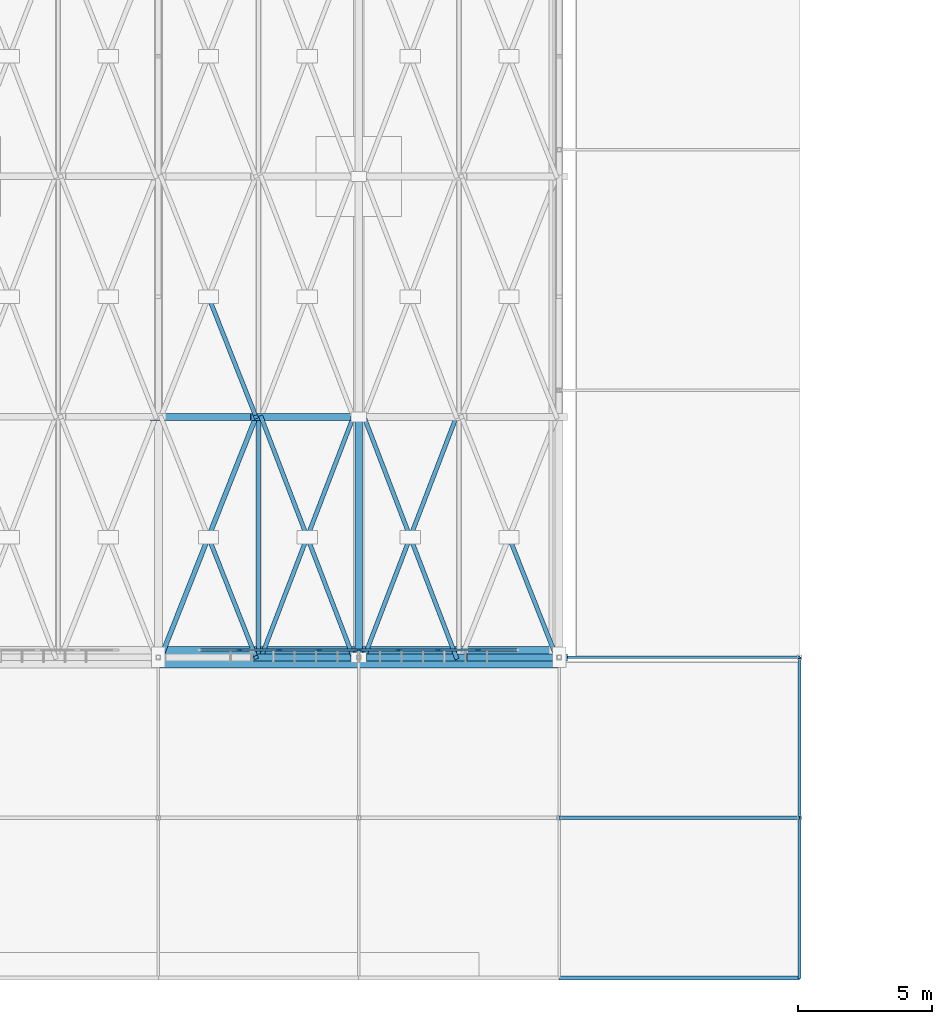
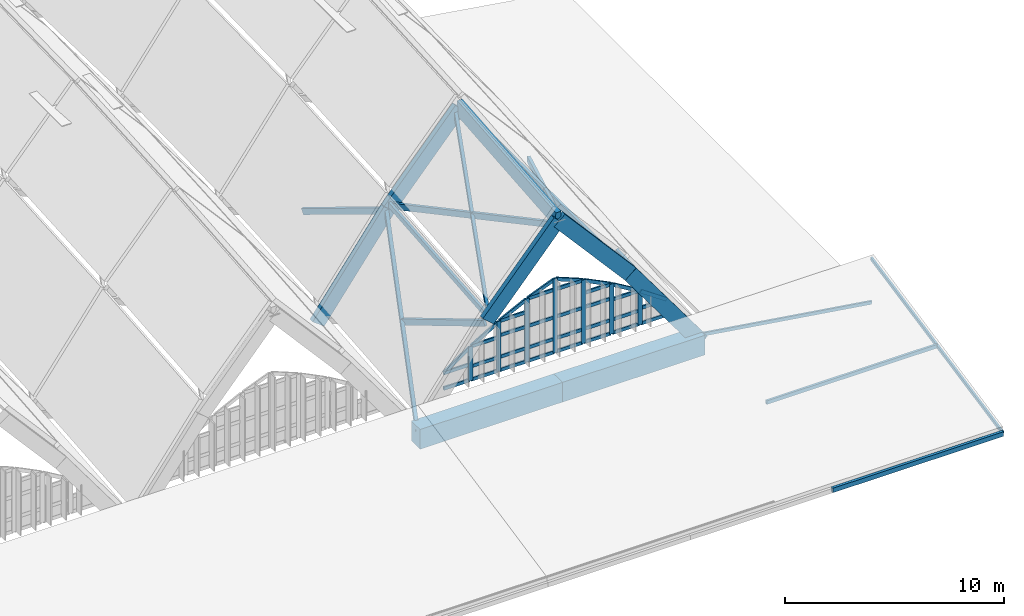
# One storey, part 50 of 93: 56 members, 8 beams, 1 element without a shape of its own.
"""IFC4 building model written with IfcOpenShell, lengths in metres."""

from ifc_helpers import new_model, si_unit, direction, frame, origin, origin_2d, place, context, subcontext, project, spatial, rectangle, hollow_rectangle, extrude, material, material_profile, profile_set, type_object, element, aggregate, save


model = new_model("IFC4")

# Units and contexts
model_context = context("Model", 3, precision=1e-05, world=origin(), true_north=direction((0.0, 1.0)))
body_context = subcontext(model_context, "Body", "Model", "MODEL_VIEW")
ifc_project = project(units=[si_unit("LENGTHUNIT", "METRE"), si_unit("AREAUNIT", "SQUARE_METRE"), si_unit("VOLUMEUNIT", "CUBIC_METRE"), si_unit("PLANEANGLEUNIT", "RADIAN"), si_unit("MASSUNIT", "GRAM", prefix="KILO")], contexts=[model_context])

# Site, building, storey
site_placement = place(None, origin())
site = spatial("IfcSite", under=ifc_project, at=site_placement, CompositionType="ELEMENT")
building_placement = place(site_placement, origin())
building = spatial("IfcBuilding", under=site, at=building_placement, Name="Vourika Railside Aquatics Centre", CompositionType="ELEMENT")
storey_placement = place(building_placement, frame((0.0, 0.0, 21.89990234375)))
storey = spatial("IfcBuildingStorey", under=building, at=storey_placement, Name="Roof", CompositionType="ELEMENT", Elevation=21.89990234375)

# Beams
ifc_material_1 = material(Name="Glulam GL32h", Category="wood")
ifc_material_profile_1 = material_profile(ifc_material_1, rectangle(XDim=0.260009765625, YDim=0.760009765625, at=origin_2d()), Name="GL32h 260x760")
ifc_profile_set_1 = profile_set([ifc_material_profile_1], Name="Glulam GL32h")
beam_type_1 = type_object("IfcBeamType", Name="BM-GL-ARCH-260x760", PredefinedType="BEAM", material=ifc_profile_set_1)
for number, where, z_axis, x_axis, name in (
    (1, (129.75, 12.0, -6.599853515625), (0.657258623263, 0.0, 0.75366511273), (0.0, 1.0, 0.0), "Pointed Glulam Vault Arch Rib GAR-0206"),
    (2, (133.5, 12.0, -2.2998046875), (0.657258623263, 0.0, -0.75366511273), (0.0, 1.0, 0.0), "Pointed Glulam Vault Arch Rib GAR-0207"),
):
    element("IfcBeam", number, at=place(storey_placement, frame(where, z_axis=z_axis, x_axis=x_axis)), inside=storey, type_object=beam_type_1, Name=name, PredefinedType="BEAM", context=body_context, shape_type="SweptSolid", body=[
        extrude(rectangle(XDim=0.260009765625, YDim=0.760009765625, at=origin_2d()), origin(), (0.0, 0.0, 1.0), 5.70556640625),
    ])
for number, where, z_axis, x_axis, name in (
    (3, (137.25, 12.0, -6.599853515625), (0.592383087934, 0.0, -0.805656426233), (0.0, 1.0, 0.0), "Pointed Glulam Vault Arch Rib GAR-0208"),
    (4, (126.0, 21.0, -10.89990234375), (0.592383087934, 0.0, 0.805656426233), (0.0, 1.0, 0.0), "Pointed Glulam Vault Arch Rib GAR-0209"),
):
    element("IfcBeam", number, at=place(storey_placement, frame(where, z_axis=z_axis, x_axis=x_axis)), inside=storey, type_object=beam_type_1, Name=name, PredefinedType="BEAM", context=body_context, shape_type="SweptSolid", body=[
        extrude(rectangle(XDim=0.260009765625, YDim=0.760009765625, at=origin_2d()), origin(), (0.0, 0.0, 1.0), 6.330322265625),
    ])
beam_1_placement = place(storey_placement, frame((129.75, 21.0, -5.7998046875), z_axis=(0.657279819973, 0.0, 0.753646626912), x_axis=(0.0, 1.0, 0.0)))
element("IfcBeam", 5, at=beam_1_placement, inside=storey, type_object=beam_type_1, Name="Pointed Glulam Vault Arch Rib GAR-0210", PredefinedType="BEAM", context=body_context, shape_type="SweptSolid", body=[
    extrude(rectangle(XDim=0.260009765625, YDim=0.760009765625, at=origin_2d()), origin(), (0.0, 0.0, 1.0), 5.705322265625),
])
ifc_material_profile_2 = material_profile(ifc_material_1, rectangle(XDim=0.280029296875, YDim=0.840087890625, at=origin_2d()), Name="GL32h 280x840")
ifc_profile_set_2 = profile_set([ifc_material_profile_2], Name="Glulam GL32h")
beam_type_2 = type_object("IfcBeamType", Name="BM-GL-RIDGE-280x840", PredefinedType="BEAM", material=ifc_profile_set_2)
beam_2_placement = place(storey_placement, frame((133.5, 12.0, -2.2998046875), z_axis=(0.0, 0.996074546839, 0.088518343518), x_axis=(-1.0, 0.0, 0.0)))
element("IfcBeam", 6, at=beam_2_placement, inside=storey, type_object=beam_type_2, Name="Vault Pointed Ridge Beam GRB-0233", PredefinedType="BEAM", context=body_context, shape_type="SweptSolid", body=[
    extrude(rectangle(XDim=0.280029296875, YDim=0.840087890625, at=origin_2d()), origin(), (0.0, 0.0, 1.0), 9.035400390625),
])
ifc_material_2 = material(Name="Concrete C40/50", Category="concrete")
ifc_material_profile_3 = material_profile(ifc_material_2, rectangle(XDim=0.800048828125, YDim=1.10009765625, at=origin_2d()), Name="RC 800x1100")
ifc_profile_set_3 = profile_set([ifc_material_profile_3], Name="Concrete C40/50")
beam_type_3 = type_object("IfcBeamType", Name="BM-RING-800x1100", PredefinedType="BEAM", material=ifc_profile_set_3)
for number, where, z_axis, x_axis, name in (
    (7, (126.0, 12.0, -11.699951171875), (1.0, 0.0, 0.0), (0.0, 1.0, 0.0), "Vault Springing Ring Beam S (126.0-133.5)"),
    (8, (133.5, 12.0, -11.699951171875), (1.0, 0.0, 0.0), (0.0, 1.0, 0.0), "Vault Springing Ring Beam S (133.5-141.0)"),
):
    element("IfcBeam", number, at=place(storey_placement, frame(where, z_axis=z_axis, x_axis=x_axis)), inside=storey, type_object=beam_type_3, Name=name, PredefinedType="BEAM", context=body_context, shape_type="SweptSolid", body=[
        extrude(rectangle(XDim=0.800048828125, YDim=1.10009765625, at=origin_2d()), origin(), (0.0, 0.0, 1.0), 7.5),
    ])

# Curtain wall, members
ifc_material_3 = material(Name="Anodized thermally broken aluminium", Category="aluminium")
curtain_wall_type = type_object("IfcCurtainWallType", Name="CW-VLTS1", PredefinedType="NOTDEFINED", material=ifc_material_3)
curtain_wall_placement = place(storey_placement, origin())
curtain_wall = element("IfcCurtainWall", 9, at=curtain_wall_placement, inside=storey, type_object=curtain_wall_type, Name="South Boulevard Pointed-Arch Clerestory Curtain Wall Bay 7", PredefinedType="NOTDEFINED")
ifc_material_4 = material(Name="Anodized aluminium mullion", Category="aluminium")
ifc_material_profile_4 = material_profile(ifc_material_4, rectangle(XDim=0.08203125, YDim=0.235107421875, at=origin_2d()), Name="ALU-M 82x235")
ifc_profile_set_4 = profile_set([ifc_material_profile_4], Name="Anodized aluminium mullion")
member_type_1 = type_object("IfcMemberType", Name="CWM-VLTS1", PredefinedType="MULLION", material=ifc_profile_set_4)
member_1_placement = place(storey_placement, frame((129.03759765625, 12.280029296875, -9.8798828125), z_axis=(0.0, 0.0, 1.0), x_axis=(0.0, 1.0, 0.0)))
member_1 = element("IfcMember", 10, at=member_1_placement, type_object=member_type_1, Name="CW03 arch mullion 2", PredefinedType="MULLION", context=body_context, shape_type="SweptSolid", body=[
    extrude(rectangle(XDim=0.08203125, YDim=0.235107421875, at=origin_2d()), origin(), (0.0, 0.0, 1.0), 1.906005859375),
])
member_2_placement = place(storey_placement, frame((130.52490234375, 12.280029296875, -9.8798828125), z_axis=(0.0, 0.0, 1.0), x_axis=(0.0, 1.0, 0.0)))
member_2 = element("IfcMember", 11, at=member_2_placement, type_object=member_type_1, Name="CW03 arch mullion 3", PredefinedType="MULLION", context=body_context, shape_type="SweptSolid", body=[
    extrude(rectangle(XDim=0.08203125, YDim=0.235107421875, at=origin_2d()), origin(), (0.0, 0.0, 1.0), 2.7890625),
])
member_3_placement = place(storey_placement, frame((132.012451171875, 12.280029296875, -9.8798828125), z_axis=(0.0, 0.0, 1.0), x_axis=(0.0, 1.0, 0.0)))
member_3 = element("IfcMember", 12, at=member_3_placement, type_object=member_type_1, Name="CW03 arch mullion 4", PredefinedType="MULLION", context=body_context, shape_type="SweptSolid", body=[
    extrude(rectangle(XDim=0.08203125, YDim=0.235107421875, at=origin_2d()), origin(), (0.0, 0.0, 1.0), 3.531005859375),
])
member_4_placement = place(storey_placement, frame((133.5, 12.280029296875, -9.8798828125), z_axis=(0.0, 0.0, 1.0), x_axis=(0.0, 1.0, 0.0)))
member_4 = element("IfcMember", 13, at=member_4_placement, type_object=member_type_1, Name="CW03 arch mullion 5", PredefinedType="MULLION", context=body_context, shape_type="SweptSolid", body=[
    extrude(rectangle(XDim=0.08203125, YDim=0.235107421875, at=origin_2d()), origin(), (0.0, 0.0, 1.0), 4.1298828125),
])
member_5_placement = place(storey_placement, frame((134.987548828125, 12.280029296875, -9.8798828125), z_axis=(0.0, 0.0, 1.0), x_axis=(0.0, 1.0, 0.0)))
member_5 = element("IfcMember", 14, at=member_5_placement, type_object=member_type_1, Name="CW03 arch mullion 6", PredefinedType="MULLION", context=body_context, shape_type="SweptSolid", body=[
    extrude(rectangle(XDim=0.08203125, YDim=0.235107421875, at=origin_2d()), origin(), (0.0, 0.0, 1.0), 3.531005859375),
])
member_6_placement = place(storey_placement, frame((136.47509765625, 12.280029296875, -9.8798828125), z_axis=(0.0, 0.0, 1.0), x_axis=(0.0, 1.0, 0.0)))
member_6 = element("IfcMember", 15, at=member_6_placement, type_object=member_type_1, Name="CW03 arch mullion 7", PredefinedType="MULLION", context=body_context, shape_type="SweptSolid", body=[
    extrude(rectangle(XDim=0.08203125, YDim=0.235107421875, at=origin_2d()), origin(), (0.0, 0.0, 1.0), 2.7890625),
])
member_7_placement = place(storey_placement, frame((137.96240234375, 12.280029296875, -9.8798828125), z_axis=(0.0, 0.0, 1.0), x_axis=(0.0, 1.0, 0.0)))
member_7 = element("IfcMember", 16, at=member_7_placement, type_object=member_type_1, Name="CW03 arch mullion 8", PredefinedType="MULLION", context=body_context, shape_type="SweptSolid", body=[
    extrude(rectangle(XDim=0.08203125, YDim=0.235107421875, at=origin_2d()), origin(), (0.0, 0.0, 1.0), 1.906005859375),
])
ifc_material_5 = material(Name="Anodized aluminium transom", Category="aluminium")
ifc_material_profile_5 = material_profile(ifc_material_5, rectangle(XDim=0.08203125, YDim=0.18505859375, at=origin_2d()), Name="ALU-T 82x185")
ifc_profile_set_5 = profile_set([ifc_material_profile_5], Name="Anodized aluminium transom")
member_type_2 = type_object("IfcMemberType", Name="CWT-VLTS1", PredefinedType="USERDEFINED", material=ifc_profile_set_5)
member_8_placement = place(storey_placement, frame((127.632080078125, 12.280029296875, -9.8388671875), z_axis=(1.0, 0.0, 0.0), x_axis=(0.0, 1.0, 0.0)))
member_8 = element("IfcMember", 17, at=member_8_placement, type_object=member_type_2, Name="CW03 transom 1.1", ObjectType="TRANSOM", PredefinedType="USERDEFINED", context=body_context, shape_type="SweptSolid", body=[
    extrude(rectangle(XDim=0.08203125, YDim=0.18505859375, at=origin_2d()), origin(), (0.0, 0.0, 1.0), 1.364501953125),
])
member_9_placement = place(storey_placement, frame((127.632080078125, 12.280029296875, -8.98095703125), z_axis=(1.0, 0.0, 0.0), x_axis=(0.0, 1.0, 0.0)))
member_9 = element("IfcMember", 18, at=member_9_placement, type_object=member_type_2, Name="CW03 transom 1.2", ObjectType="TRANSOM", PredefinedType="USERDEFINED", context=body_context, shape_type="SweptSolid", body=[
    extrude(rectangle(XDim=0.08203125, YDim=0.18505859375, at=origin_2d()), origin(), (0.0, 0.0, 1.0), 1.364501953125),
])
member_10_placement = place(storey_placement, frame((127.632080078125, 12.280029296875, -8.98095703125), z_axis=(0.823796708212, 0.0, 0.566885335442), x_axis=(0.0, 1.0, 0.0)))
member_10 = element("IfcMember", 19, at=member_10_placement, type_object=member_type_2, Name="CW03 arch chord transom 1", ObjectType="TRANSOM", PredefinedType="USERDEFINED", context=body_context, shape_type="SweptSolid", body=[
    extrude(rectangle(XDim=0.08203125, YDim=0.18505859375, at=origin_2d()), origin(), (0.0, 0.0, 1.0), 1.65625),
])
member_11_placement = place(storey_placement, frame((129.07861328125, 12.280029296875, -9.8388671875), z_axis=(1.0, 0.0, 0.0), x_axis=(0.0, 1.0, 0.0)))
member_11 = element("IfcMember", 20, at=member_11_placement, type_object=member_type_2, Name="CW03 transom 2.1", ObjectType="TRANSOM", PredefinedType="USERDEFINED", context=body_context, shape_type="SweptSolid", body=[
    extrude(rectangle(XDim=0.08203125, YDim=0.18505859375, at=origin_2d()), origin(), (0.0, 0.0, 1.0), 1.4052734375),
])
member_12_placement = place(storey_placement, frame((129.07861328125, 12.280029296875, -9.099853515625), z_axis=(1.0, 0.0, 0.0), x_axis=(0.0, 1.0, 0.0)))
member_12 = element("IfcMember", 21, at=member_12_placement, type_object=member_type_2, Name="CW03 transom 2.2", ObjectType="TRANSOM", PredefinedType="USERDEFINED", context=body_context, shape_type="SweptSolid", body=[
    extrude(rectangle(XDim=0.08203125, YDim=0.18505859375, at=origin_2d()), origin(), (0.0, 0.0, 1.0), 1.4052734375),
])
member_13_placement = place(storey_placement, frame((129.07861328125, 12.280029296875, -7.989013671875), z_axis=(1.0, 0.0, 0.0), x_axis=(0.0, 1.0, 0.0)))
member_13 = element("IfcMember", 22, at=member_13_placement, type_object=member_type_2, Name="CW03 transom 2.3", ObjectType="TRANSOM", PredefinedType="USERDEFINED", context=body_context, shape_type="SweptSolid", body=[
    extrude(rectangle(XDim=0.08203125, YDim=0.18505859375, at=origin_2d()), origin(), (0.0, 0.0, 1.0), 1.4052734375),
])
member_14_placement = place(storey_placement, frame((129.07861328125, 12.280029296875, -7.989013671875), z_axis=(0.859633394337, 0.0, 0.510911369359), x_axis=(0.0, 1.0, 0.0)))
member_14 = element("IfcMember", 23, at=member_14_placement, type_object=member_type_2, Name="CW03 arch chord transom 2", ObjectType="TRANSOM", PredefinedType="USERDEFINED", context=body_context, shape_type="SweptSolid", body=[
    extrude(rectangle(XDim=0.08203125, YDim=0.18505859375, at=origin_2d()), origin(), (0.0, 0.0, 1.0), 1.634765625),
])
member_15_placement = place(storey_placement, frame((130.56591796875, 12.280029296875, -9.8388671875), z_axis=(1.0, 0.0, 0.0), x_axis=(0.0, 1.0, 0.0)))
member_15 = element("IfcMember", 24, at=member_15_placement, type_object=member_type_2, Name="CW03 transom 3.1", ObjectType="TRANSOM", PredefinedType="USERDEFINED", context=body_context, shape_type="SweptSolid", body=[
    extrude(rectangle(XDim=0.08203125, YDim=0.18505859375, at=origin_2d()), origin(), (0.0, 0.0, 1.0), 1.405517578125),
])
member_16_placement = place(storey_placement, frame((130.56591796875, 12.280029296875, -9.099853515625), z_axis=(1.0, 0.0, 0.0), x_axis=(0.0, 1.0, 0.0)))
member_16 = element("IfcMember", 25, at=member_16_placement, type_object=member_type_2, Name="CW03 transom 3.2", ObjectType="TRANSOM", PredefinedType="USERDEFINED", context=body_context, shape_type="SweptSolid", body=[
    extrude(rectangle(XDim=0.08203125, YDim=0.18505859375, at=origin_2d()), origin(), (0.0, 0.0, 1.0), 1.405517578125),
])
member_17_placement = place(storey_placement, frame((130.56591796875, 12.280029296875, -7.89990234375), z_axis=(1.0, 0.0, 0.0), x_axis=(0.0, 1.0, 0.0)))
member_17 = element("IfcMember", 26, at=member_17_placement, type_object=member_type_2, Name="CW03 transom 3.3", ObjectType="TRANSOM", PredefinedType="USERDEFINED", context=body_context, shape_type="SweptSolid", body=[
    extrude(rectangle(XDim=0.08203125, YDim=0.18505859375, at=origin_2d()), origin(), (0.0, 0.0, 1.0), 1.405517578125),
])
member_18_placement = place(storey_placement, frame((130.56591796875, 12.280029296875, -7.10888671875), z_axis=(1.0, 0.0, 0.0), x_axis=(0.0, 1.0, 0.0)))
member_18 = element("IfcMember", 27, at=member_18_placement, type_object=member_type_2, Name="CW03 transom 3.4", ObjectType="TRANSOM", PredefinedType="USERDEFINED", context=body_context, shape_type="SweptSolid", body=[
    extrude(rectangle(XDim=0.08203125, YDim=0.18505859375, at=origin_2d()), origin(), (0.0, 0.0, 1.0), 1.405517578125),
])
member_19_placement = place(storey_placement, frame((130.56591796875, 12.280029296875, -7.10888671875), z_axis=(0.895141289392, 0.0, 0.445782538942), x_axis=(0.0, 1.0, 0.0)))
member_19 = element("IfcMember", 28, at=member_19_placement, type_object=member_type_2, Name="CW03 arch chord transom 3", ObjectType="TRANSOM", PredefinedType="USERDEFINED", context=body_context, shape_type="SweptSolid", body=[
    extrude(rectangle(XDim=0.08203125, YDim=0.18505859375, at=origin_2d()), origin(), (0.0, 0.0, 1.0), 1.570068359375),
])
member_20_placement = place(storey_placement, frame((132.053466796875, 12.280029296875, -9.8388671875), z_axis=(1.0, 0.0, 0.0), x_axis=(0.0, 1.0, 0.0)))
member_20 = element("IfcMember", 29, at=member_20_placement, type_object=member_type_2, Name="CW03 transom 4.1", ObjectType="TRANSOM", PredefinedType="USERDEFINED", context=body_context, shape_type="SweptSolid", body=[
    extrude(rectangle(XDim=0.08203125, YDim=0.18505859375, at=origin_2d()), origin(), (0.0, 0.0, 1.0), 1.405517578125),
])
member_21_placement = place(storey_placement, frame((132.053466796875, 12.280029296875, -9.099853515625), z_axis=(1.0, 0.0, 0.0), x_axis=(0.0, 1.0, 0.0)))
member_21 = element("IfcMember", 30, at=member_21_placement, type_object=member_type_2, Name="CW03 transom 4.2", ObjectType="TRANSOM", PredefinedType="USERDEFINED", context=body_context, shape_type="SweptSolid", body=[
    extrude(rectangle(XDim=0.08203125, YDim=0.18505859375, at=origin_2d()), origin(), (0.0, 0.0, 1.0), 1.405517578125),
])
member_22_placement = place(storey_placement, frame((132.053466796875, 12.280029296875, -7.89990234375), z_axis=(1.0, 0.0, 0.0), x_axis=(0.0, 1.0, 0.0)))
member_22 = element("IfcMember", 31, at=member_22_placement, type_object=member_type_2, Name="CW03 transom 4.3", ObjectType="TRANSOM", PredefinedType="USERDEFINED", context=body_context, shape_type="SweptSolid", body=[
    extrude(rectangle(XDim=0.08203125, YDim=0.18505859375, at=origin_2d()), origin(), (0.0, 0.0, 1.0), 1.405517578125),
])
member_23_placement = place(storey_placement, frame((132.053466796875, 12.280029296875, -6.371826171875), z_axis=(1.0, 0.0, 0.0), x_axis=(0.0, 1.0, 0.0)))
member_23 = element("IfcMember", 32, at=member_23_placement, type_object=member_type_2, Name="CW03 transom 4.4", ObjectType="TRANSOM", PredefinedType="USERDEFINED", context=body_context, shape_type="SweptSolid", body=[
    extrude(rectangle(XDim=0.08203125, YDim=0.18505859375, at=origin_2d()), origin(), (0.0, 0.0, 1.0), 1.405517578125),
])
member_24_placement = place(storey_placement, frame((132.053466796875, 12.280029296875, -6.371826171875), z_axis=(0.927629742849, 0.0, 0.373501084579), x_axis=(0.0, 1.0, 0.0)))
member_24 = element("IfcMember", 33, at=member_24_placement, type_object=member_type_2, Name="CW03 arch chord transom 4", ObjectType="TRANSOM", PredefinedType="USERDEFINED", context=body_context, shape_type="SweptSolid", body=[
    extrude(rectangle(XDim=0.08203125, YDim=0.18505859375, at=origin_2d()), origin(), (0.0, 0.0, 1.0), 1.51513671875),
])
member_25_placement = place(storey_placement, frame((133.541015625, 12.280029296875, -9.8388671875), z_axis=(1.0, 0.0, 0.0), x_axis=(0.0, 1.0, 0.0)))
member_25 = element("IfcMember", 34, at=member_25_placement, type_object=member_type_2, Name="CW03 transom 5.1", ObjectType="TRANSOM", PredefinedType="USERDEFINED", context=body_context, shape_type="SweptSolid", body=[
    extrude(rectangle(XDim=0.08203125, YDim=0.18505859375, at=origin_2d()), origin(), (0.0, 0.0, 1.0), 1.405517578125),
])
member_26_placement = place(storey_placement, frame((133.541015625, 12.280029296875, -9.099853515625), z_axis=(1.0, 0.0, 0.0), x_axis=(0.0, 1.0, 0.0)))
member_26 = element("IfcMember", 35, at=member_26_placement, type_object=member_type_2, Name="CW03 transom 5.2", ObjectType="TRANSOM", PredefinedType="USERDEFINED", context=body_context, shape_type="SweptSolid", body=[
    extrude(rectangle(XDim=0.08203125, YDim=0.18505859375, at=origin_2d()), origin(), (0.0, 0.0, 1.0), 1.405517578125),
])
member_27_placement = place(storey_placement, frame((133.541015625, 12.280029296875, -7.89990234375), z_axis=(1.0, 0.0, 0.0), x_axis=(0.0, 1.0, 0.0)))
member_27 = element("IfcMember", 36, at=member_27_placement, type_object=member_type_2, Name="CW03 transom 5.3", ObjectType="TRANSOM", PredefinedType="USERDEFINED", context=body_context, shape_type="SweptSolid", body=[
    extrude(rectangle(XDim=0.08203125, YDim=0.18505859375, at=origin_2d()), origin(), (0.0, 0.0, 1.0), 1.405517578125),
])
member_28_placement = place(storey_placement, frame((133.541015625, 12.280029296875, -6.371826171875), z_axis=(1.0, 0.0, 0.0), x_axis=(0.0, 1.0, 0.0)))
member_28 = element("IfcMember", 37, at=member_28_placement, type_object=member_type_2, Name="CW03 transom 5.4", ObjectType="TRANSOM", PredefinedType="USERDEFINED", context=body_context, shape_type="SweptSolid", body=[
    extrude(rectangle(XDim=0.08203125, YDim=0.18505859375, at=origin_2d()), origin(), (0.0, 0.0, 1.0), 1.405517578125),
])
member_29_placement = place(storey_placement, frame((133.541015625, 12.280029296875, -5.805908203125), z_axis=(0.927629742849, 0.0, -0.373501084579), x_axis=(0.0, 1.0, 0.0)))
member_29 = element("IfcMember", 38, at=member_29_placement, type_object=member_type_2, Name="CW03 arch chord transom 5", ObjectType="TRANSOM", PredefinedType="USERDEFINED", context=body_context, shape_type="SweptSolid", body=[
    extrude(rectangle(XDim=0.08203125, YDim=0.18505859375, at=origin_2d()), origin(), (0.0, 0.0, 1.0), 1.51513671875),
])
member_30_placement = place(storey_placement, frame((135.028564453125, 12.280029296875, -9.8388671875), z_axis=(1.0, 0.0, 0.0), x_axis=(0.0, 1.0, 0.0)))
member_30 = element("IfcMember", 39, at=member_30_placement, type_object=member_type_2, Name="CW03 transom 6.1", ObjectType="TRANSOM", PredefinedType="USERDEFINED", context=body_context, shape_type="SweptSolid", body=[
    extrude(rectangle(XDim=0.08203125, YDim=0.18505859375, at=origin_2d()), origin(), (0.0, 0.0, 1.0), 1.405517578125),
])
member_31_placement = place(storey_placement, frame((135.028564453125, 12.280029296875, -9.099853515625), z_axis=(1.0, 0.0, 0.0), x_axis=(0.0, 1.0, 0.0)))
member_31 = element("IfcMember", 40, at=member_31_placement, type_object=member_type_2, Name="CW03 transom 6.2", ObjectType="TRANSOM", PredefinedType="USERDEFINED", context=body_context, shape_type="SweptSolid", body=[
    extrude(rectangle(XDim=0.08203125, YDim=0.18505859375, at=origin_2d()), origin(), (0.0, 0.0, 1.0), 1.405517578125),
])
member_32_placement = place(storey_placement, frame((135.028564453125, 12.280029296875, -7.89990234375), z_axis=(1.0, 0.0, 0.0), x_axis=(0.0, 1.0, 0.0)))
member_32 = element("IfcMember", 41, at=member_32_placement, type_object=member_type_2, Name="CW03 transom 6.3", ObjectType="TRANSOM", PredefinedType="USERDEFINED", context=body_context, shape_type="SweptSolid", body=[
    extrude(rectangle(XDim=0.08203125, YDim=0.18505859375, at=origin_2d()), origin(), (0.0, 0.0, 1.0), 1.405517578125),
])
member_33_placement = place(storey_placement, frame((135.028564453125, 12.280029296875, -7.10888671875), z_axis=(1.0, 0.0, 0.0), x_axis=(0.0, 1.0, 0.0)))
member_33 = element("IfcMember", 42, at=member_33_placement, type_object=member_type_2, Name="CW03 transom 6.4", ObjectType="TRANSOM", PredefinedType="USERDEFINED", context=body_context, shape_type="SweptSolid", body=[
    extrude(rectangle(XDim=0.08203125, YDim=0.18505859375, at=origin_2d()), origin(), (0.0, 0.0, 1.0), 1.405517578125),
])
member_34_placement = place(storey_placement, frame((135.028564453125, 12.280029296875, -6.408935546875), z_axis=(0.895141289392, 0.0, -0.445782538942), x_axis=(0.0, 1.0, 0.0)))
member_34 = element("IfcMember", 43, at=member_34_placement, type_object=member_type_2, Name="CW03 arch chord transom 6", ObjectType="TRANSOM", PredefinedType="USERDEFINED", context=body_context, shape_type="SweptSolid", body=[
    extrude(rectangle(XDim=0.08203125, YDim=0.18505859375, at=origin_2d()), origin(), (0.0, 0.0, 1.0), 1.570068359375),
])
member_35_placement = place(storey_placement, frame((136.51611328125, 12.280029296875, -9.8388671875), z_axis=(1.0, 0.0, 0.0), x_axis=(0.0, 1.0, 0.0)))
member_35 = element("IfcMember", 44, at=member_35_placement, type_object=member_type_2, Name="CW03 transom 7.1", ObjectType="TRANSOM", PredefinedType="USERDEFINED", context=body_context, shape_type="SweptSolid", body=[
    extrude(rectangle(XDim=0.08203125, YDim=0.18505859375, at=origin_2d()), origin(), (0.0, 0.0, 1.0), 1.4052734375),
])
member_36_placement = place(storey_placement, frame((136.51611328125, 12.280029296875, -9.099853515625), z_axis=(1.0, 0.0, 0.0), x_axis=(0.0, 1.0, 0.0)))
member_36 = element("IfcMember", 45, at=member_36_placement, type_object=member_type_2, Name="CW03 transom 7.2", ObjectType="TRANSOM", PredefinedType="USERDEFINED", context=body_context, shape_type="SweptSolid", body=[
    extrude(rectangle(XDim=0.08203125, YDim=0.18505859375, at=origin_2d()), origin(), (0.0, 0.0, 1.0), 1.4052734375),
])
member_37_placement = place(storey_placement, frame((136.51611328125, 12.280029296875, -7.989013671875), z_axis=(1.0, 0.0, 0.0), x_axis=(0.0, 1.0, 0.0)))
member_37 = element("IfcMember", 46, at=member_37_placement, type_object=member_type_2, Name="CW03 transom 7.3", ObjectType="TRANSOM", PredefinedType="USERDEFINED", context=body_context, shape_type="SweptSolid", body=[
    extrude(rectangle(XDim=0.08203125, YDim=0.18505859375, at=origin_2d()), origin(), (0.0, 0.0, 1.0), 1.4052734375),
])
member_38_placement = place(storey_placement, frame((136.51611328125, 12.280029296875, -7.15380859375), z_axis=(0.859633394337, 0.0, -0.510911369359), x_axis=(0.0, 1.0, 0.0)))
member_38 = element("IfcMember", 47, at=member_38_placement, type_object=member_type_2, Name="CW03 arch chord transom 7", ObjectType="TRANSOM", PredefinedType="USERDEFINED", context=body_context, shape_type="SweptSolid", body=[
    extrude(rectangle(XDim=0.08203125, YDim=0.18505859375, at=origin_2d()), origin(), (0.0, 0.0, 1.0), 1.634765625),
])
member_39_placement = place(storey_placement, frame((138.00341796875, 12.280029296875, -9.8388671875), z_axis=(1.0, 0.0, 0.0), x_axis=(0.0, 1.0, 0.0)))
member_39 = element("IfcMember", 48, at=member_39_placement, type_object=member_type_2, Name="CW03 transom 8.1", ObjectType="TRANSOM", PredefinedType="USERDEFINED", context=body_context, shape_type="SweptSolid", body=[
    extrude(rectangle(XDim=0.08203125, YDim=0.18505859375, at=origin_2d()), origin(), (0.0, 0.0, 1.0), 1.364501953125),
])
member_40_placement = place(storey_placement, frame((138.00341796875, 12.280029296875, -8.98095703125), z_axis=(1.0, 0.0, 0.0), x_axis=(0.0, 1.0, 0.0)))
member_40 = element("IfcMember", 49, at=member_40_placement, type_object=member_type_2, Name="CW03 transom 8.2", ObjectType="TRANSOM", PredefinedType="USERDEFINED", context=body_context, shape_type="SweptSolid", body=[
    extrude(rectangle(XDim=0.08203125, YDim=0.18505859375, at=origin_2d()), origin(), (0.0, 0.0, 1.0), 1.364501953125),
])
member_41_placement = place(storey_placement, frame((138.00341796875, 12.280029296875, -8.0419921875), z_axis=(0.823796708212, 0.0, -0.566885335442), x_axis=(0.0, 1.0, 0.0)))
member_41 = element("IfcMember", 50, at=member_41_placement, type_object=member_type_2, Name="CW03 arch chord transom 8", ObjectType="TRANSOM", PredefinedType="USERDEFINED", context=body_context, shape_type="SweptSolid", body=[
    extrude(rectangle(XDim=0.08203125, YDim=0.18505859375, at=origin_2d()), origin(), (0.0, 0.0, 1.0), 1.65625),
])
aggregate(curtain_wall, [member_1, member_2, member_3, member_4, member_5, member_6, member_7, member_8, member_9, member_10, member_11, member_12, member_13, member_14, member_15, member_16, member_17, member_18, member_19, member_20, member_21, member_22, member_23, member_24, member_25, member_26, member_27, member_28, member_29, member_30, member_31, member_32, member_33, member_34, member_35, member_36, member_37, member_38, member_39, member_40, member_41])

# Members
ifc_material_6 = material(Name="Glulam GL28h", Category="wood")
ifc_material_profile_6 = material_profile(ifc_material_6, rectangle(XDim=0.179931640625, YDim=0.360107421875, at=origin_2d()), Name="GL28h 180x360")
ifc_profile_set_6 = profile_set([ifc_material_profile_6], Name="Glulam GL28h")
member_type_3 = type_object("IfcMemberType", Name="MEM-GL-LATH1", PredefinedType="BRACE", material=ifc_profile_set_6)
member_42_placement = place(storey_placement, frame((126.094970703125, 12.0, -11.56201171875), z_axis=(0.318017835503, 0.80396444164, 0.502499584956), x_axis=(-0.929892910811, 0.367830360933, 0.0)))
element("IfcMember", 51, at=member_42_placement, inside=storey, type_object=member_type_3, Name="Gridshell Continuous Diagonal Lath GLA-0354", PredefinedType="BRACE", context=body_context, shape_type="SweptSolid", body=[
    extrude(rectangle(XDim=0.179931640625, YDim=0.360107421875, at=origin_2d()), origin(), (0.0, 0.0, 1.0), 11.194580078125),
])
ifc_material_profile_7 = material_profile(ifc_material_6, rectangle(XDim=0.159912109375, YDim=0.320068359375, at=origin_2d()), Name="GL28h 160x320")
ifc_profile_set_7 = profile_set([ifc_material_profile_7], Name="Glulam GL28h")
member_type_4 = type_object("IfcMemberType", Name="MEM-GL-LATH2", PredefinedType="BRACE", material=ifc_profile_set_7)
member_43_placement = place(storey_placement, frame((129.655029296875, 12.0, -6.72021484375), z_axis=(-0.339212920269, 0.857546639199, -0.386714825576), x_axis=(-0.929892910811, -0.367830360933, 0.0)))
element("IfcMember", 52, at=member_43_placement, inside=storey, type_object=member_type_4, Name="Gridshell Split Counter Lath GLB1-0355", PredefinedType="BRACE", context=body_context, shape_type="SweptSolid", body=[
    extrude(rectangle(XDim=0.159912109375, YDim=0.320068359375, at=origin_2d()), origin(), (0.0, 0.0, 1.0), 5.24755859375),
])
member_44_placement = place(storey_placement, frame((129.844970703125, 12.0, -6.482177734375), z_axis=(0.321550791273, 0.837595277664, 0.441632471028), x_axis=(-0.933569951957, 0.358395235463, 0.0)))
element("IfcMember", 53, at=member_44_placement, inside=storey, type_object=member_type_4, Name="Gridshell Continuous Diagonal Lath GLA-0356", PredefinedType="BRACE", context=body_context, shape_type="SweptSolid", body=[
    extrude(rectangle(XDim=0.159912109375, YDim=0.320068359375, at=origin_2d()), origin(), (0.0, 0.0, 1.0), 10.7451171875),
])
for number, where, z_axis, x_axis, name in (
    (54, (133.300048828125, 12.0, -2.5205078125), (-0.340375084547, 0.886629954547, -0.31310082325), (-0.933569951957, -0.358395235463, 0.0), "Gridshell Split Counter Lath GLB1-0357"),
    (55, (131.572509765625, 16.5, -4.109619140625), (-0.340380210662, 0.886643307367, -0.313057435131), (-0.933569951957, -0.358395235463, 0.0), "Gridshell Split Counter Lath GLB2-0357"),
):
    element("IfcMember", number, at=place(storey_placement, frame(where, z_axis=z_axis, x_axis=x_axis)), inside=storey, type_object=member_type_4, Name=name, PredefinedType="BRACE", context=body_context, shape_type="SweptSolid", body=[
        extrude(rectangle(XDim=0.159912109375, YDim=0.320068359375, at=origin_2d()), origin(), (0.0, 0.0, 1.0), 5.075439453125),
    ])
member_45_placement = place(storey_placement, frame((133.699951171875, 12.0, -2.5205078125), z_axis=(0.340377647674, 0.886636631138, -0.313079129436), x_axis=(-0.933569951957, 0.358395235463, 0.0)))
element("IfcMember", 56, at=member_45_placement, inside=storey, type_object=member_type_4, Name="Gridshell Continuous Diagonal Lath GLA-0358", PredefinedType="BRACE", context=body_context, shape_type="SweptSolid", body=[
    extrude(rectangle(XDim=0.159912109375, YDim=0.320068359375, at=origin_2d()), origin(), (0.0, 0.0, 1.0), 10.150634765625),
])
for number, where, z_axis, x_axis, name in (
    (57, (137.155029296875, 12.0, -6.482177734375), (-0.321554017818, 0.837603682367, 0.441614181057), (-0.933569951957, -0.358395235463, 0.0), "Gridshell Split Counter Lath GLB1-0359"),
    (58, (135.427490234375, 16.5, -4.109619140625), (-0.32154756466, 0.837586872782, 0.441650760448), (-0.933569951957, -0.358395235463, 0.0), "Gridshell Split Counter Lath GLB2-0359"),
):
    element("IfcMember", number, at=place(storey_placement, frame(where, z_axis=z_axis, x_axis=x_axis)), inside=storey, type_object=member_type_4, Name=name, PredefinedType="BRACE", context=body_context, shape_type="SweptSolid", body=[
        extrude(rectangle(XDim=0.159912109375, YDim=0.320068359375, at=origin_2d()), origin(), (0.0, 0.0, 1.0), 5.37255859375),
    ])
member_46_placement = place(storey_placement, frame((140.905029296875, 12.0, -11.56201171875), z_axis=(-0.318021320636, 0.803973252223, 0.502483282639), x_axis=(-0.929892910811, -0.367830360933, 0.0)))
element("IfcMember", 59, at=member_46_placement, inside=storey, type_object=member_type_4, Name="Gridshell Split Counter Lath GLB1-0361", PredefinedType="BRACE", context=body_context, shape_type="SweptSolid", body=[
    extrude(rectangle(XDim=0.159912109375, YDim=0.320068359375, at=origin_2d()), origin(), (0.0, 0.0, 1.0), 5.59716796875),
])
member_47_placement = place(storey_placement, frame((129.655029296875, 21.0, -5.92138671875), z_axis=(-0.336558619113, 0.85083643773, -0.403491824121), x_axis=(-0.929892910811, -0.367830360933, 0.0)))
element("IfcMember", 60, at=member_47_placement, inside=storey, type_object=member_type_4, Name="Gridshell Split Counter Lath GLB1-0366", PredefinedType="BRACE", context=body_context, shape_type="SweptSolid", body=[
    extrude(rectangle(XDim=0.159912109375, YDim=0.320068359375, at=origin_2d()), origin(), (0.0, 0.0, 1.0), 5.288818359375),
])
ifc_material_profile_8 = material_profile(ifc_material_6, rectangle(XDim=0.139892578125, YDim=0.280029296875, at=origin_2d()), Name="GL28h 140x280")
ifc_profile_set_8 = profile_set([ifc_material_profile_8], Name="Glulam GL28h")
member_type_5 = type_object("IfcMemberType", Name="MEM-GL-PURLIN", PredefinedType="PURLIN", material=ifc_profile_set_8)
member_48_placement = place(storey_placement, frame((129.75, 12.0, -6.329833984375), z_axis=(0.0, 0.996072164085, 0.088545151956), x_axis=(-1.0, 0.0, 0.0)))
element("IfcMember", 61, at=member_48_placement, inside=storey, type_object=member_type_5, Name="Vault Timber Purlin GTP-0351", PredefinedType="PURLIN", context=body_context, shape_type="SweptSolid", body=[
    extrude(rectangle(XDim=0.139892578125, YDim=0.280029296875, at=origin_2d()), origin(), (0.0, 0.0, 1.0), 9.035400390625),
])
ifc_material_7 = material(Name="Steel S355J2", Category="steel")
ifc_material_profile_9 = material_profile(ifc_material_7, hollow_rectangle(XDim=0.10009765625, YDim=0.179931640625, WallThickness=0.008056640625, at=origin_2d()), Name="RHS 180x100x8")
ifc_profile_set_9 = profile_set([ifc_material_profile_9], Name="Steel S355J2")
member_type_6 = type_object("IfcMemberType", Name="MEM-STL-RHS180", PredefinedType="RAFTER", material=ifc_profile_set_9)
member_49_placement = place(storey_placement, frame((150.0, 0.0, -12.699951171875), z_axis=(0.0, 0.979788513636, 0.200036168098), x_axis=(-1.0, 0.0, 0.0)))
element("IfcMember", 62, at=member_49_placement, inside=storey, type_object=member_type_6, Name="Changing Roof Sloped Rafter V4R-150.0", PredefinedType="RAFTER", context=body_context, shape_type="SweptSolid", body=[
    extrude(hollow_rectangle(XDim=0.10009765625, YDim=0.179931640625, WallThickness=0.008056640625, at=origin_2d()), origin(), (0.0, 0.0, 1.0), 12.24755859375),
])
member_50_placement = place(storey_placement, frame((150.0, 12.0, -12.699951171875), z_axis=(-0.988934778637, 0.0, 0.148350947425), x_axis=(0.0, -1.0, 0.0)))
element("IfcMember", 63, at=member_50_placement, inside=storey, type_object=member_type_6, Name="Changing East Roof Rafter V4ER-12", PredefinedType="RAFTER", context=body_context, shape_type="SweptSolid", body=[
    extrude(hollow_rectangle(XDim=0.10009765625, YDim=0.179931640625, WallThickness=0.008056640625, at=origin_2d()), origin(), (0.0, 0.0, 1.0), 9.1005859375),
])
ifc_material_profile_10 = material_profile(ifc_material_7, hollow_rectangle(XDim=0.1201171875, YDim=0.199951171875, WallThickness=0.008056640625, at=origin_2d()), Name="RHS 200x120x8")
ifc_profile_set_10 = profile_set([ifc_material_profile_10], Name="Steel S355J2")
member_type_7 = type_object("IfcMemberType", Name="MEM-STL-RHS200", PredefinedType="PURLIN", material=ifc_profile_set_10)
member_51_placement = place(storey_placement, frame((141.0, 6.0, -11.474853515625), z_axis=(1.0, 0.0, 0.0), x_axis=(0.0, 1.0, 0.0)))
element("IfcMember", 64, at=member_51_placement, inside=storey, type_object=member_type_7, Name="Changing Roof RHS Purlin V4P-141.0-150.0", PredefinedType="PURLIN", context=body_context, shape_type="SweptSolid", body=[
    extrude(hollow_rectangle(XDim=0.1201171875, YDim=0.199951171875, WallThickness=0.008056640625, at=origin_2d()), origin(), (0.0, 0.0, 1.0), 9.0),
])
ifc_material_profile_11 = material_profile(ifc_material_7, hollow_rectangle(XDim=0.14990234375, YDim=0.25, WallThickness=0.010009765625, at=origin_2d()), Name="RHS 250x150x10")
ifc_profile_set_11 = profile_set([ifc_material_profile_11], Name="Steel S355J2")
member_type_8 = type_object("IfcMemberType", Name="MEM-STL-RHS250", PredefinedType="PURLIN", material=ifc_profile_set_11)
member_52_placement = place(storey_placement, frame((141.0, 0.0, -12.719970703125), z_axis=(1.0, 0.0, 0.0), x_axis=(0.0, 1.0, 0.0)))
element("IfcMember", 65, at=member_52_placement, inside=storey, type_object=member_type_8, Name="Changing Roof Eave Purlin V4E-141.0-150.0", PredefinedType="PURLIN", context=body_context, shape_type="SweptSolid", body=[
    extrude(hollow_rectangle(XDim=0.14990234375, YDim=0.25, WallThickness=0.010009765625, at=origin_2d()), origin(), (0.0, 0.0, 1.0), 9.0),
])

save(model, "model.ifc")
